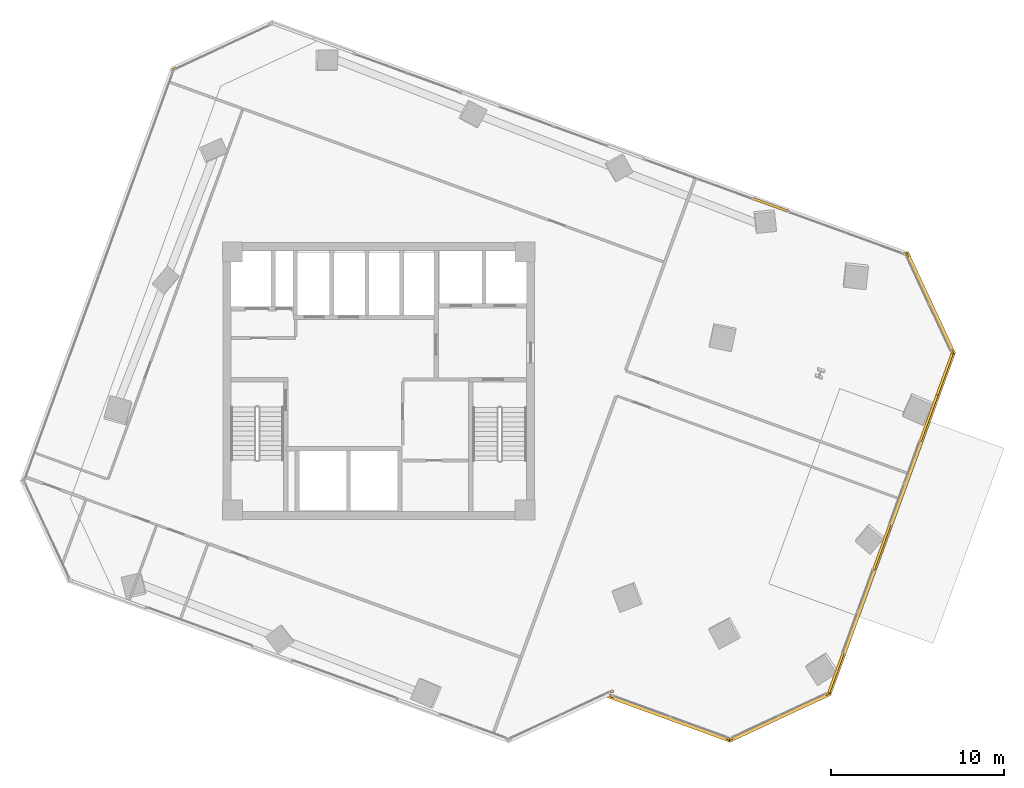
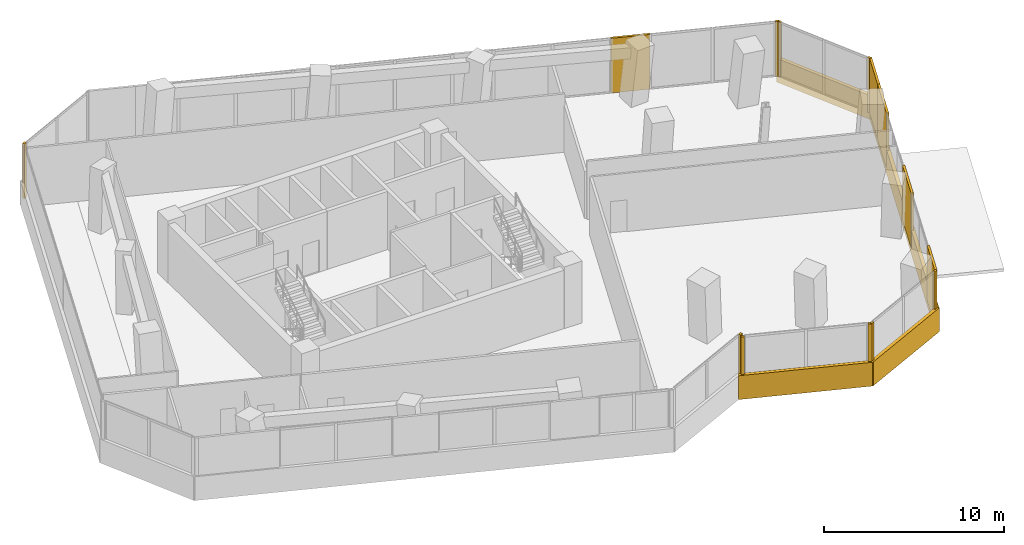
# One storey, part 20 of 21: 18 coverings.
"""IFC4 building model written with IfcOpenShell, lengths in metres."""

from ifc_helpers import new_model, si_unit, direction, frame, origin, origin_2d, place, context, subcontext, project, spatial, rectangle, extrude, source, transform, mapped, material, layer, layer_set, type_object, element, save


model = new_model("IFC4")

# Units and contexts
model_context = context("Model", 3, precision=1e-05, world=origin(), true_north=direction((0.0, 1.0)))
body_context = subcontext(model_context, "Body", "Model", "MODEL_VIEW")
ifc_project = project(units=[si_unit("LENGTHUNIT", "METRE"), si_unit("AREAUNIT", "SQUARE_METRE"), si_unit("VOLUMEUNIT", "CUBIC_METRE"), si_unit("PLANEANGLEUNIT", "RADIAN"), si_unit("MASSUNIT", "GRAM", prefix="KILO")], contexts=[model_context])

# Site, building, storey
site_placement = place(None, origin())
site = spatial("IfcSite", under=ifc_project, at=site_placement, CompositionType="ELEMENT")
building_placement = place(site_placement, origin())
building = spatial("IfcBuilding", under=site, at=building_placement, Name="Torre Montelarca", CompositionType="ELEMENT")
storey_placement = place(building_placement, frame((0.0, 0.0, 133.0)))
storey = spatial("IfcBuildingStorey", under=building, at=storey_placement, Name="L29", CompositionType="ELEMENT", Elevation=133.0)

# Coverings
ifc_material = material(Name="Bush-hammered warm white precast concrete C45/55", Category="concrete")
ifc_layer = layer(ifc_material, 0.139892578125, Name="Bush-hammered warm white precast concrete C45/55", Category="concrete")
ifc_layer_set = layer_set([ifc_layer], Name="Bush-hammered warm white precast concrete C45/55")
covering_type = type_object("IfcCoveringType", Name="COV-TRAY-CLAD", PredefinedType="CLADDING", material=ifc_layer_set)
shared_shape_1 = source(origin(), body_context, "Body", "SweptSolid", [
    extrude(rectangle(XDim=6.48388671875, YDim=0.219970703125, at=origin_2d()), origin(), (0.0, 0.0, 1.0), 1.6201171875),
])
for number, where, z_axis, x_axis, name in (
    (1, (41.17041015625, 12.572021484375, -0.449951171875), (0.0, 0.0, 1.0), (0.906309262247, 0.422615098127, 0.0), "L29 Architectural White Spandrel Tray Band TRYBOT-05"),
    (2, (49.877197265625, 36.494384765625, -0.449951171875), (0.0, 0.0, 1.0), (-0.422615098127, 0.906309262247, 0.0), "L29 Architectural White Spandrel Tray Band TRYBOT-07"),
):
    element("IfcCovering", number, at=place(storey_placement, frame(where, z_axis=z_axis, x_axis=x_axis)), inside=storey, type_object=covering_type, Name=name, PredefinedType="CLADDING", context=body_context, shape_type="MappedRepresentation", body=[
        mapped(shared_shape_1, transform((0.0, 0.0, 0.0), scale=1.0)),
    ])
shared_shape_2 = source(origin(), body_context, "Body", "SweptSolid", [
    extrude(rectangle(XDim=21.1201171875, YDim=0.219970703125, at=origin_2d()), origin(), (0.0, 0.0, 1.0), 1.6201171875),
])
covering_1_placement = place(storey_placement, frame((47.6298828125, 23.7666015625, -0.449951171875), z_axis=(0.0, 0.0, 1.0), x_axis=(0.342018503252, 0.939693217722, 0.0)))
element("IfcCovering", 3, at=covering_1_placement, inside=storey, type_object=covering_type, Name="L29 Architectural White Spandrel Tray Band TRYBOT-06", PredefinedType="CLADDING", context=body_context, shape_type="MappedRepresentation", body=[
    mapped(shared_shape_2, transform((0.0, 0.0, 0.0), scale=1.0)),
])
shared_shape_3 = source(origin(), body_context, "Body", "SweptSolid", [
    extrude(rectangle(XDim=0.199951171875, YDim=0.139892578125, at=origin_2d()), origin(), (0.0, 0.0, 1.0), 3.719970703125),
])
for number, where, z_axis, x_axis, name in (
    (4, (31.475830078125, 14.047119140625, 0.0), (0.0, 0.0, 1.0), (0.906314425397, 0.422604025439, 0.0), "L29 Architectural Column Pier Cladding E02-2"),
    (5, (31.462646484375, 13.783935546875, 0.0), (0.0, 0.0, 1.0), (0.939695605439, -0.342011942948, 0.0), "L29 Architectural Column Pier Cladding E04-1"),
    (6, (38.220947265625, 11.32421875, 0.0), (0.0, 0.0, 1.0), (0.939695605439, -0.342011942948, 0.0), "L29 Architectural Column Pier Cladding E04-2"),
    (7, (38.3662109375, 11.33056640625, 0.0), (0.0, 0.0, 1.0), (0.906310737447, 0.422611934508, 0.0), "L29 Architectural Column Pier Cladding E05-1"),
    (8, (43.923828125, 13.922119140625, 0.0), (0.0, 0.0, 1.0), (0.906310737447, 0.422611934508, 0.0), "L29 Architectural Column Pier Cladding E05-2"),
    (9, (51.11865234375, 33.690185546875, 0.0), (0.0, 0.0, 1.0), (-0.422611934508, 0.906310737447, 0.0), "L29 Architectural Column Pier Cladding E07-1"),
    (10, (48.527099609375, 39.247802734375, 0.0), (0.0, 0.0, 1.0), (-0.422611934508, 0.906310737447, 0.0), "L29 Architectural Column Pier Cladding E07-2"),
    (11, (48.419921875, 39.345947265625, 0.0), (0.0, 0.0, 1.0), (-0.939693814656, 0.342016863178, 0.0), "L29 Architectural Column Pier Cladding E08-1"),
    (12, (6.193115234375, 50.04150390625, 0.0), (0.0, 0.0, 1.0), (-0.906310737447, -0.422611934508, 0.0), "L29 Architectural Column Pier Cladding E09-2"),
):
    element("IfcCovering", number, at=place(storey_placement, frame(where, z_axis=z_axis, x_axis=x_axis)), inside=storey, type_object=covering_type, Name=name, PredefinedType="CLADDING", context=body_context, shape_type="MappedRepresentation", body=[
        mapped(shared_shape_3, transform((0.0, 0.0, 0.0), scale=1.0)),
    ])
shared_shape_4 = source(origin(), body_context, "Body", "SweptSolid", [
    extrude(rectangle(XDim=2.604248046875, YDim=0.139892578125, at=origin_2d()), origin(), (0.0, 0.0, 1.0), 3.719970703125),
])
covering_2_placement = place(storey_placement, frame((50.7138671875, 32.415283203125, 0.0), z_axis=(0.0, 0.0, 1.0), x_axis=(0.342016863178, 0.939693814656, 0.0)))
element("IfcCovering", 13, at=covering_2_placement, inside=storey, type_object=covering_type, Name="L29 Architectural Column Pier Cladding E06-4", PredefinedType="CLADDING", context=body_context, shape_type="MappedRepresentation", body=[
    mapped(shared_shape_4, transform((0.0, 0.0, 0.0), scale=1.0)),
])
shared_shape_5 = source(origin(), body_context, "Body", "SweptSolid", [
    extrude(rectangle(XDim=7.6201171875, YDim=0.219970703125, at=origin_2d()), origin(), (0.0, 0.0, 1.0), 1.6201171875),
])
covering_3_placement = place(storey_placement, frame((34.785400390625, 12.5107421875, -0.449951171875), z_axis=(0.0, 0.0, 1.0), x_axis=(0.939695008514, -0.342013583025, 0.0)))
element("IfcCovering", 14, at=covering_3_placement, inside=storey, type_object=covering_type, Name="L29 Architectural White Spandrel Tray Band TRYBOT-04", PredefinedType="CLADDING", context=body_context, shape_type="MappedRepresentation", body=[
    mapped(shared_shape_5, transform((0.0, 0.0, 0.0), scale=1.0)),
])
shared_shape_6 = source(origin(), body_context, "Body", "SweptSolid", [
    extrude(rectangle(XDim=2.464111328125, YDim=0.139892578125, at=origin_2d()), origin(), (0.0, 0.0, 1.0), 3.719970703125),
])
covering_4_placement = place(storey_placement, frame((44.4091796875, 15.093017578125, 0.0), z_axis=(0.0, 0.0, 1.0), x_axis=(0.342016863178, 0.939693814656, 0.0)))
element("IfcCovering", 15, at=covering_4_placement, inside=storey, type_object=covering_type, Name="L29 Architectural Column Pier Cladding E06-1", PredefinedType="CLADDING", context=body_context, shape_type="MappedRepresentation", body=[
    mapped(shared_shape_6, transform((0.0, 0.0, 0.0), scale=1.0)),
])
shared_shape_7 = source(origin(), body_context, "Body", "SweptSolid", [
    extrude(rectangle(XDim=2.7880859375, YDim=0.139892578125, at=origin_2d()), origin(), (0.0, 0.0, 1.0), 3.719970703125),
])
covering_5_placement = place(storey_placement, frame((47.064208984375, 22.3876953125, 0.0), z_axis=(0.0, 0.0, 1.0), x_axis=(0.342016863178, 0.939693814656, 0.0)))
element("IfcCovering", 16, at=covering_5_placement, inside=storey, type_object=covering_type, Name="L29 Architectural Column Pier Cladding E06-2", PredefinedType="CLADDING", context=body_context, shape_type="MappedRepresentation", body=[
    mapped(shared_shape_7, transform((0.0, 0.0, 0.0), scale=1.0)),
])
shared_shape_8 = source(origin(), body_context, "Body", "SweptSolid", [
    extrude(rectangle(XDim=2.93994140625, YDim=0.139892578125, at=origin_2d()), origin(), (0.0, 0.0, 1.0), 3.719970703125),
])
covering_6_placement = place(storey_placement, frame((49.800048828125, 29.904541015625, 0.0), z_axis=(0.0, 0.0, 1.0), x_axis=(0.342016863178, 0.939693814656, 0.0)))
element("IfcCovering", 17, at=covering_6_placement, inside=storey, type_object=covering_type, Name="L29 Architectural Column Pier Cladding E06-3", PredefinedType="CLADDING", context=body_context, shape_type="MappedRepresentation", body=[
    mapped(shared_shape_8, transform((0.0, 0.0, 0.0), scale=1.0)),
])
shared_shape_9 = source(origin(), body_context, "Body", "SweptSolid", [
    extrude(rectangle(XDim=2.2099609375, YDim=0.139892578125, at=origin_2d()), origin(), (0.0, 0.0, 1.0), 3.719970703125),
])
covering_7_placement = place(storey_placement, frame((40.635498046875, 42.17919921875, 0.0), z_axis=(0.0, 0.0, 1.0), x_axis=(-0.939693814656, 0.342016863178, 0.0)))
element("IfcCovering", 18, at=covering_7_placement, inside=storey, type_object=covering_type, Name="L29 Architectural Column Pier Cladding E08-2", PredefinedType="CLADDING", context=body_context, shape_type="MappedRepresentation", body=[
    mapped(shared_shape_9, transform((0.0, 0.0, 0.0), scale=1.0)),
])

save(model, "model.ifc")
